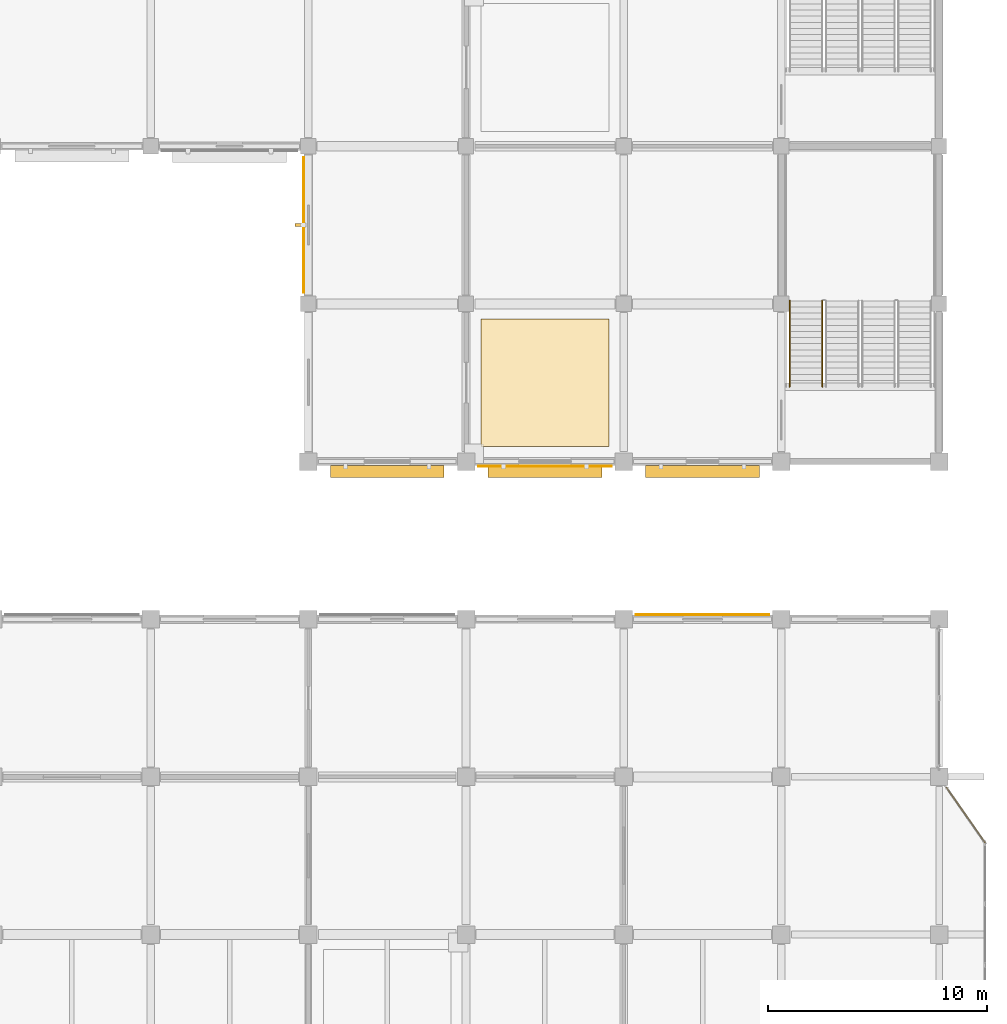
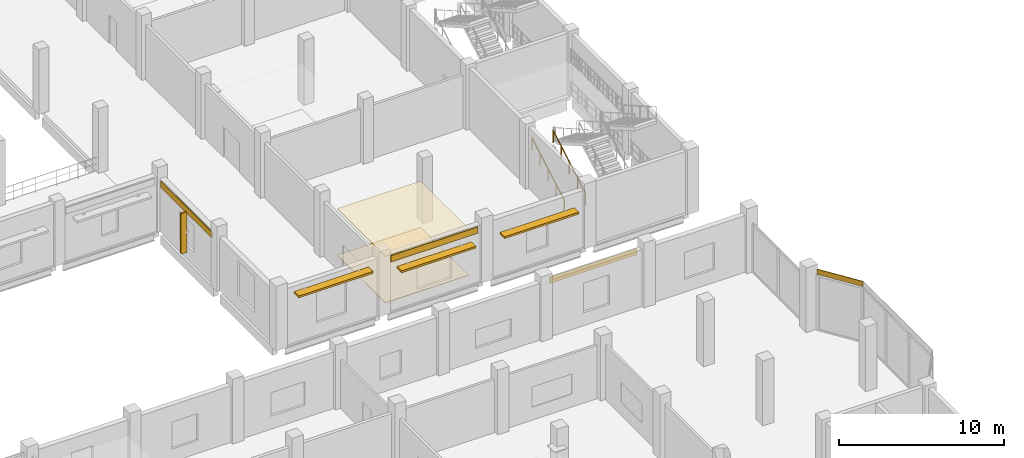
# One storey, part 95 of 99: 6 coverings, 4 shading devices, 2 railings.
"""IFC4 building model written with IfcOpenShell, lengths in metres."""

from ifc_helpers import new_model, si_unit, direction, frame, frame_2d, origin, origin_2d, place, context, subcontext, project, spatial, polyline, rectangle, circle, outline, extrude, material, layer, layer_set, type_object, element, save


model = new_model("IFC4")

# Units and contexts
model_context = context("Model", 3, precision=1e-05, world=origin(), true_north=direction((0.0, 1.0)))
body_context = subcontext(model_context, "Body", "Model", "MODEL_VIEW")
ifc_project = project(units=[si_unit("LENGTHUNIT", "METRE"), si_unit("AREAUNIT", "SQUARE_METRE"), si_unit("VOLUMEUNIT", "CUBIC_METRE"), si_unit("PLANEANGLEUNIT", "RADIAN"), si_unit("MASSUNIT", "GRAM", prefix="KILO")], contexts=[model_context])

# Site, building, storey
site_placement = place(None, origin())
site = spatial("IfcSite", under=ifc_project, at=site_placement, CompositionType="ELEMENT")
building_placement = place(site_placement, origin())
building = spatial("IfcBuilding", under=site, at=building_placement, Name="Vesperath Aquatics Centre", CompositionType="ELEMENT")
storey_placement = place(building_placement, frame((0.0, 0.0, 5.39990234375)))
storey = spatial("IfcBuildingStorey", under=building, at=storey_placement, Name="L01", CompositionType="ELEMENT", Elevation=5.39990234375)

# Coverings
ifc_material_1 = material(Name="Teal and ochre glazed ceramic majolica frieze", Category="ceramic")
ifc_layer_1 = layer(ifc_material_1, 0.0400390625)
ifc_layer_set_1 = layer_set([ifc_layer_1], Name="Teal and ochre glazed ceramic majolica frieze")
covering_type_1 = type_object("IfcCoveringType", Name="CV-CLD01", PredefinedType="CLADDING", material=ifc_layer_set_1)
for number, where, z_axis, x_axis, name in (
    (1, (158.949951171875, 43.409912109375, 3.64013671875), (0.0, 0.0, 1.0), (1.0, 0.0, 0.0), "Majolica Ceramic Frieze CLD1 L01_N_22_06"),
    (2, (151.75, 50.18994140625, 3.64013671875), (0.0, 0.0, 1.0), (1.0, 0.0, 0.0), "Majolica Ceramic Frieze CLD1 L01_S_21_07"),
):
    element("IfcCovering", number, at=place(storey_placement, frame(where, z_axis=z_axis, x_axis=x_axis)), inside=storey, type_object=covering_type_1, Name=name, PredefinedType="CLADDING", context=body_context, shape_type="SweptSolid", body=[
        extrude(rectangle(XDim=6.10009765625, YDim=0.0400390625, at=frame_2d((3.050048828125, 0.0))), origin(), (0.0, 0.0, 1.0), 0.469970703125),
    ])
covering_1_placement = place(storey_placement, frame((143.7900390625, 58.10009765625, 3.402099609375), z_axis=(0.0, 0.0, 1.0), x_axis=(0.0, 1.0, 0.0)))
element("IfcCovering", 3, at=covering_1_placement, inside=storey, type_object=covering_type_1, Name="Majolica Ceramic Frieze CLD1 L01_W_20_08", PredefinedType="CLADDING", context=body_context, shape_type="SweptSolid", body=[
    extrude(rectangle(XDim=6.199951171875, YDim=0.0400390625, at=frame_2d((3.10009765625, 0.0))), origin(), (0.0, 0.0, 1.0), 0.469970703125),
])
covering_2_placement = place(storey_placement, frame((174.89990234375, 33.0, 4.14013671875), z_axis=(0.0, 0.0, 1.0), x_axis=(-0.573441037055, 0.819246835222, 0.0)))
element("IfcCovering", 4, at=covering_2_placement, inside=storey, type_object=covering_type_1, Name="East Bow Oriel Majolica Frieze CLD1 L01-N", PredefinedType="CLADDING", context=body_context, shape_type="SweptSolid", body=[
    extrude(rectangle(XDim=3.075927734375, YDim=0.050048828125, at=frame_2d((1.5380859375, 0.0))), origin(), (0.0, 0.0, 1.0), 0.3798828125),
])
ifc_material_2 = material(Name="Perforated moisture-resistant acoustic mineral-fibre ceiling", Category="gypsum")
ifc_layer_2 = layer(ifc_material_2, 0.044921875)
ifc_layer_set_2 = layer_set([ifc_layer_2], Name="Perforated moisture-resistant acoustic mineral-fibre ceiling")
covering_type_2 = type_object("IfcCoveringType", Name="CV-CLG01", PredefinedType="CEILING", material=ifc_layer_set_2)
covering_3_placement = place(storey_placement, frame((0.0, 0.0, 3.425048828125)))
element("IfcCovering", 5, at=covering_3_placement, inside=storey, type_object=covering_type_2, Name="Acoustic Suspended Ceiling CLG1 L01_TEAM_M", PredefinedType="CEILING", context=body_context, shape_type="SweptSolid", body=[
    extrude(outline(polyline([(151.8798828125, 51.080078125), (157.719970703125, 51.080078125), (157.719970703125, 56.919921875), (151.8798828125, 56.919921875), (151.8798828125, 51.080078125)])), origin(), (0.0, 0.0, 1.0), 0.045166015625),
])
ifc_material_3 = material(Name="Slip-resistant vitrified ceramic and terrazzo flooring", Category="ceramic")
ifc_layer_3 = layer(ifc_material_3, 0.030029296875)
ifc_layer_set_3 = layer_set([ifc_layer_3], Name="Slip-resistant vitrified ceramic and terrazzo flooring")
covering_type_3 = type_object("IfcCoveringType", Name="CV-FLR01", PredefinedType="FLOORING", material=ifc_layer_set_3)
covering_4_placement = place(storey_placement, origin())
element("IfcCovering", 6, at=covering_4_placement, inside=storey, type_object=covering_type_3, Name="Slip-Resistant Floor Finish FLR1 L01_TEAM_M", PredefinedType="FLOORING", context=body_context, shape_type="SweptSolid", body=[
    extrude(outline(polyline([(151.8798828125, 51.080078125), (157.719970703125, 51.080078125), (157.719970703125, 56.919921875), (151.8798828125, 56.919921875), (151.8798828125, 51.080078125)])), origin(), (0.0, 0.0, 1.0), 0.030029296875),
])

# Railings
ifc_material_4 = material(Name="Brushed stainless steel tubular handrail", Category="steel")
railing_type = type_object("IfcRailingType", Name="RL-HND01", PredefinedType="HANDRAIL", material=ifc_material_4)
for number, where, name in (
    (7, (167.469970703125, 53.820068359375, 0.16015625), "Stair ST12A Flight 1 Handrail HR01 L01"),
    (8, (165.97998046875, 53.820068359375, 0.16015625), "Stair ST12A Flight 1 Handrail HR01 L01"),
):
    element("IfcRailing", number, at=place(storey_placement, frame(where)), inside=storey, type_object=railing_type, Name=name, PredefinedType="HANDRAIL", context=body_context, shape_type="SweptSolid", body=[
        extrude(circle(Radius=0.02392578125, at=origin_2d()), frame((0.0, 0.0, 0.8759765625), z_axis=(0.0, 0.868239814368, 0.496144761885), x_axis=(-1.0, 0.0, 0.0)), (0.0, 0.0, 1.0), 4.514892578125),
        extrude(circle(Radius=0.02197265625, at=origin_2d()), origin(), (0.0, 0.0, 1.0), 0.8759765625),
        extrude(circle(Radius=0.02197265625, at=origin_2d()), frame((0.0, 0.97998046875, 0.56005859375)), (0.0, 0.0, 1.0), 0.8759765625),
        extrude(circle(Radius=0.02197265625, at=origin_2d()), frame((0.0, 1.9599609375, 1.1201171875)), (0.0, 0.0, 1.0), 0.8759765625),
        extrude(circle(Radius=0.02197265625, at=origin_2d()), frame((0.0, 2.93994140625, 1.679931640625)), (0.0, 0.0, 1.0), 0.8759765625),
        extrude(circle(Radius=0.02197265625, at=origin_2d()), frame((0.0, 3.919921875, 2.239990234375)), (0.0, 0.0, 1.0), 0.8759765625),
    ])

# Shading devices
ifc_material_5 = material(Name="Perforated bronze botanical solar fin", Category="aluminium")
shading_device_type_1 = type_object("IfcShadingDeviceType", Name="SH-FIN01", PredefinedType="USERDEFINED", material=ifc_material_5)
shading_device_placement = place(storey_placement, frame((143.60009765625, 61.199951171875, 0.5), z_axis=(0.0, 0.0, 1.0), x_axis=(1.0, 0.0, 0.0)))
element("IfcShadingDevice", 9, at=shading_device_placement, inside=storey, type_object=shading_device_type_1, Name="Botanical Bronze Solar Fin FN01 L01_W_20_08", ObjectType="FIN", PredefinedType="USERDEFINED", context=body_context, shape_type="SweptSolid", body=[
    extrude(rectangle(XDim=0.419921875, YDim=0.1201171875, at=origin_2d()), origin(), (0.0, 0.0, 1.0), 3.0),
])
ifc_material_6 = material(Name="Anodised bronze aluminium solar brise-soleil", Category="aluminium")
shading_device_type_2 = type_object("IfcShadingDeviceType", Name="SH-LVR01", PredefinedType="JALOUSIE", material=ifc_material_6)
for number, where, z_axis, x_axis, name in (
    (10, (147.60009765625, 49.945068359375, 3.650390625), (0.0, 0.0, 1.0), (1.0, 0.0, 0.0), "Bronze Solar Brise-Soleil LV01 L01_S_20_07"),
    (11, (154.800048828125, 49.93505859375, 3.0), (0.0, 0.0, 1.0), (1.0, 0.0, 0.0), "Bronze Solar Brise-Soleil LV01 L01_S_21_07"),
    (12, (162.0, 49.93505859375, 3.0), (0.0, 0.0, 1.0), (1.0, 0.0, 0.0), "Bronze Solar Brise-Soleil LV01 L01_S_22_07"),
):
    element("IfcShadingDevice", number, at=place(storey_placement, frame(where, z_axis=z_axis, x_axis=x_axis)), inside=storey, type_object=shading_device_type_2, Name=name, PredefinedType="JALOUSIE", context=body_context, shape_type="SweptSolid", body=[
        extrude(rectangle(XDim=5.199951171875, YDim=0.550048828125, at=origin_2d()), origin(), (0.0, 0.0, 1.0), 0.139892578125),
    ])

save(model, "model.ifc")
